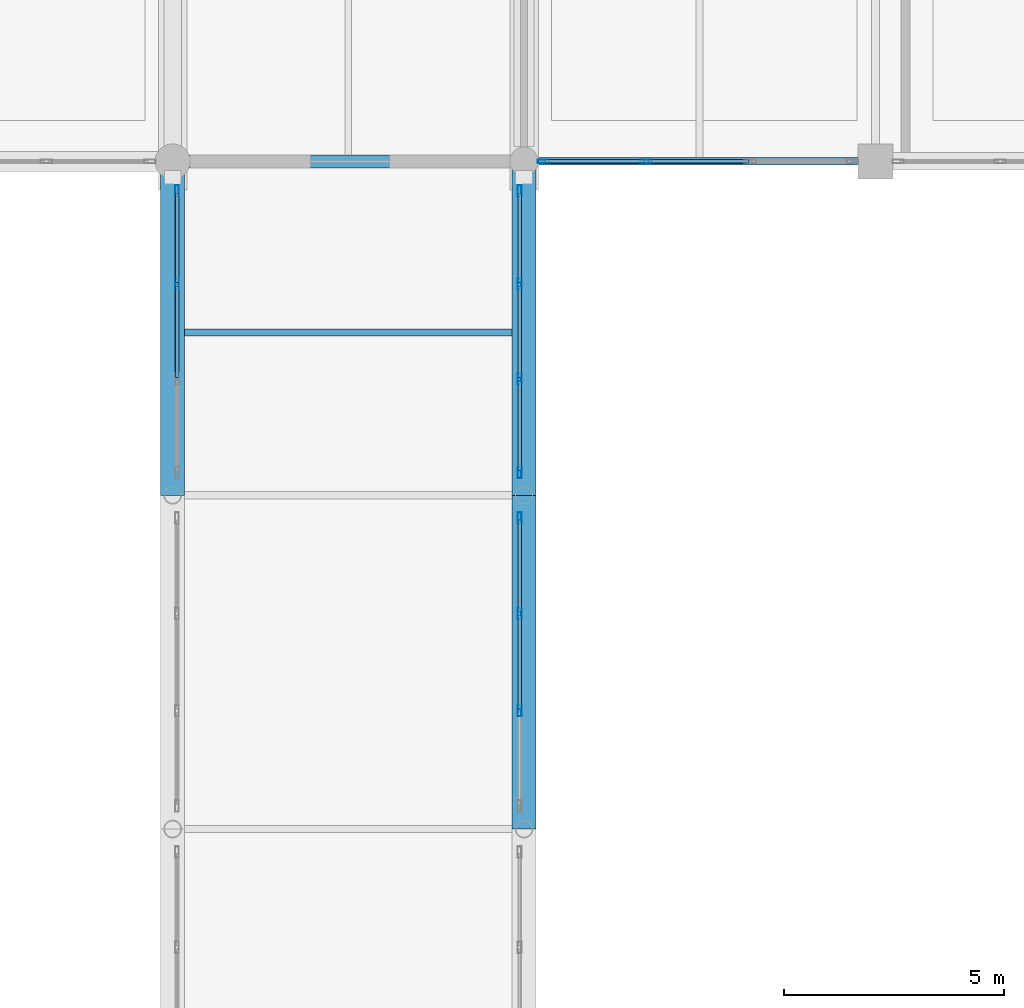
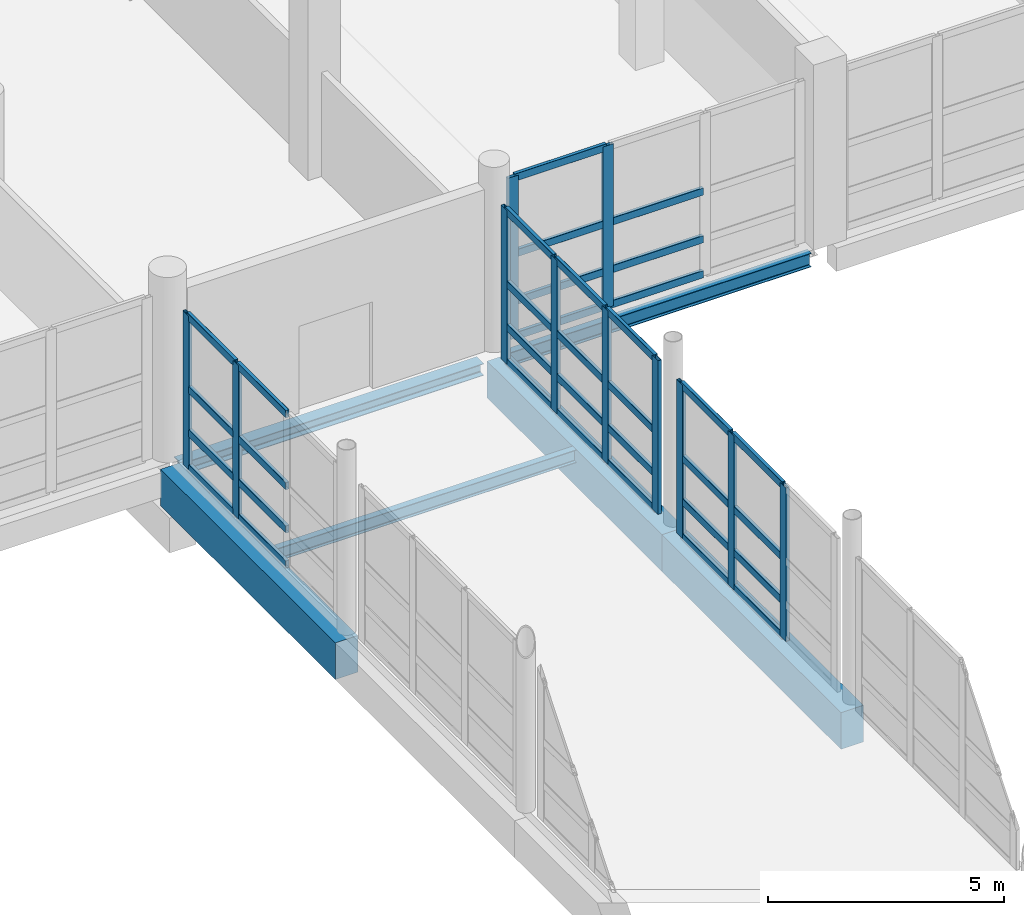
# One storey, part 59 of 147: 46 members, 6 beams, 4 elements without a shape of their own.
"""IFC4 building model written with IfcOpenShell, lengths in metres."""

from ifc_helpers import new_model, si_unit, direction, frame, origin, origin_2d, place, context, subcontext, project, spatial, rectangle, hollow_rectangle, i_section, extrude, material, material_profile, profile_set, type_object, element, aggregate, save


model = new_model("IFC4")

# Units and contexts
model_context = context("Model", 3, precision=1e-05, world=origin(), true_north=direction((0.0, 1.0)))
body_context = subcontext(model_context, "Body", "Model", "MODEL_VIEW")
ifc_project = project(units=[si_unit("LENGTHUNIT", "METRE"), si_unit("AREAUNIT", "SQUARE_METRE"), si_unit("VOLUMEUNIT", "CUBIC_METRE"), si_unit("PLANEANGLEUNIT", "RADIAN"), si_unit("MASSUNIT", "GRAM", prefix="KILO")], contexts=[model_context])

# Site, building, storey
site_placement = place(None, origin())
site = spatial("IfcSite", under=ifc_project, at=site_placement, CompositionType="ELEMENT")
building_placement = place(site_placement, origin())
building = spatial("IfcBuilding", under=site, at=building_placement, Name="Khelvaren Railside Concert Hall", CompositionType="ELEMENT")
storey_placement = place(building_placement, frame((0.0, 0.0, 5.39990234375)))
storey = spatial("IfcBuildingStorey", under=building, at=storey_placement, Name="L01", CompositionType="ELEMENT", Elevation=5.39990234375)

# Curtain wall, members
ifc_material_1 = material(Name="Acoustic laminated crystal facade glass", Category="glass")
curtain_wall_type_1 = type_object("IfcCurtainWallType", Name="CW15", PredefinedType="USERDEFINED", material=ifc_material_1)
curtain_wall_1_placement = place(storey_placement, origin())
curtain_wall_1 = element("IfcCurtainWall", 1, at=curtain_wall_1_placement, inside=storey, type_object=curtain_wall_type_1, Name="Unitised Curtain Wall CW-V5-L01-S-168", ObjectType="UNITISED CURTAIN WALL", PredefinedType="USERDEFINED")
ifc_material_2 = material(Name="Anodised architectural aluminium 6063-T6", Category="aluminium")
ifc_material_profile_1 = material_profile(ifc_material_2, hollow_rectangle(XDim=0.0849609375, YDim=0.260009765625, WallThickness=0.0048828125, InnerFilletRadius=0.0029296875, OuterFilletRadius=0.0048828125, at=origin_2d()), Name="CWM 85x260x5")
ifc_profile_set_1 = profile_set([ifc_material_profile_1], Name="Anodised architectural aluminium 6063-T6")
member_type_1 = type_object("IfcMemberType", Name="CWM40", PredefinedType="MULLION", material=ifc_profile_set_1)
member_1_placement = place(storey_placement, frame((170.77587890625, 83.60009765625, 0.0), z_axis=(0.0, 0.0, 1.0), x_axis=(0.0, -1.0, 0.0)))
member_1 = element("IfcMember", 2, at=member_1_placement, type_object=member_type_1, Name="CW15 mullion 3", PredefinedType="MULLION", context=body_context, shape_type="SweptSolid", body=[
    extrude(hollow_rectangle(XDim=0.0849609375, YDim=0.260009765625, WallThickness=0.0048828125, InnerFilletRadius=0.0029296875, OuterFilletRadius=0.0048828125, at=origin_2d()), origin(), (0.0, 0.0, 1.0), 4.2001953125),
])
member_2_placement = place(storey_placement, frame((168.445068359375, 83.60009765625, 0.0), z_axis=(0.0, 0.0, 1.0), x_axis=(0.0, -1.0, 0.0)))
member_2 = element("IfcMember", 3, at=member_2_placement, type_object=member_type_1, Name="CW15 mullion 4", PredefinedType="MULLION", context=body_context, shape_type="SweptSolid", body=[
    extrude(hollow_rectangle(XDim=0.0849609375, YDim=0.260009765625, WallThickness=0.0048828125, InnerFilletRadius=0.0029296875, OuterFilletRadius=0.0048828125, at=origin_2d()), origin(), (0.0, 0.0, 1.0), 4.2001953125),
])

curtain_wall_type_2 = type_object("IfcCurtainWallType", Name="CW78", PredefinedType="USERDEFINED", material=ifc_material_1)
curtain_wall_2_placement = place(storey_placement, origin())
curtain_wall_2 = element("IfcCurtainWall", 4, at=curtain_wall_2_placement, inside=storey, type_object=curtain_wall_type_2, Name="Unitised Curtain Wall CW-LB4-L01-E5", ObjectType="UNITISED CURTAIN WALL", PredefinedType="USERDEFINED")
member_3_placement = place(storey_placement, frame((167.89990234375, 75.4775390625, 0.0), z_axis=(0.0, 0.0, 1.0), x_axis=(1.0, 0.0, 0.0)))
member_3 = element("IfcMember", 5, at=member_3_placement, type_object=member_type_1, Name="CW78 mullion 1", PredefinedType="MULLION", context=body_context, shape_type="SweptSolid", body=[
    extrude(hollow_rectangle(XDim=0.0849609375, YDim=0.260009765625, WallThickness=0.0048828125, InnerFilletRadius=0.0029296875, OuterFilletRadius=0.0048828125, at=origin_2d()), origin(), (0.0, 0.0, 1.0), 3.97998046875),
])
member_4_placement = place(storey_placement, frame((167.89990234375, 73.306640625, 0.0), z_axis=(0.0, 0.0, 1.0), x_axis=(1.0, 0.0, 0.0)))
member_4 = element("IfcMember", 6, at=member_4_placement, type_object=member_type_1, Name="CW78 mullion 2", PredefinedType="MULLION", context=body_context, shape_type="SweptSolid", body=[
    extrude(hollow_rectangle(XDim=0.0849609375, YDim=0.260009765625, WallThickness=0.0048828125, InnerFilletRadius=0.0029296875, OuterFilletRadius=0.0048828125, at=origin_2d()), origin(), (0.0, 0.0, 1.0), 3.97998046875),
])
member_5_placement = place(storey_placement, frame((167.89990234375, 71.09326171875, 0.0), z_axis=(0.0, 0.0, 1.0), x_axis=(1.0, 0.0, 0.0)))
member_5 = element("IfcMember", 7, at=member_5_placement, type_object=member_type_1, Name="CW78 mullion 3", PredefinedType="MULLION", context=body_context, shape_type="SweptSolid", body=[
    extrude(hollow_rectangle(XDim=0.0849609375, YDim=0.260009765625, WallThickness=0.0048828125, InnerFilletRadius=0.0029296875, OuterFilletRadius=0.0048828125, at=origin_2d()), origin(), (0.0, 0.0, 1.0), 3.97998046875),
])

curtain_wall_3_placement = place(storey_placement, origin())
curtain_wall_3 = element("IfcCurtainWall", 8, at=curtain_wall_3_placement, inside=storey, type_object=curtain_wall_type_2, Name="Unitised Curtain Wall CW-LB4-L01-W6", ObjectType="UNITISED CURTAIN WALL", PredefinedType="USERDEFINED")
member_6_placement = place(storey_placement, frame((160.10009765625, 80.806640625, 0.0), z_axis=(0.0, 0.0, 1.0), x_axis=(-1.0, 0.0, 0.0)))
member_6 = element("IfcMember", 9, at=member_6_placement, type_object=member_type_1, Name="CW78 mullion 3", PredefinedType="MULLION", context=body_context, shape_type="SweptSolid", body=[
    extrude(hollow_rectangle(XDim=0.0849609375, YDim=0.260009765625, WallThickness=0.0048828125, InnerFilletRadius=0.0029296875, OuterFilletRadius=0.0048828125, at=origin_2d()), origin(), (0.0, 0.0, 1.0), 3.97998046875),
])
member_7_placement = place(storey_placement, frame((160.10009765625, 82.927490234375, 0.0), z_axis=(0.0, 0.0, 1.0), x_axis=(-1.0, 0.0, 0.0)))
member_7 = element("IfcMember", 10, at=member_7_placement, type_object=member_type_1, Name="CW78 mullion 4", PredefinedType="MULLION", context=body_context, shape_type="SweptSolid", body=[
    extrude(hollow_rectangle(XDim=0.0849609375, YDim=0.260009765625, WallThickness=0.0048828125, InnerFilletRadius=0.0029296875, OuterFilletRadius=0.0048828125, at=origin_2d()), origin(), (0.0, 0.0, 1.0), 3.97998046875),
])

curtain_wall_4_placement = place(storey_placement, origin())
curtain_wall_4 = element("IfcCurtainWall", 11, at=curtain_wall_4_placement, inside=storey, type_object=curtain_wall_type_2, Name="Unitised Curtain Wall CW-LB4-L01-E6", ObjectType="UNITISED CURTAIN WALL", PredefinedType="USERDEFINED")
member_8_placement = place(storey_placement, frame((167.89990234375, 82.927490234375, 0.0), z_axis=(0.0, 0.0, 1.0), x_axis=(1.0, 0.0, 0.0)))
member_8 = element("IfcMember", 12, at=member_8_placement, type_object=member_type_1, Name="CW78 mullion 1", PredefinedType="MULLION", context=body_context, shape_type="SweptSolid", body=[
    extrude(hollow_rectangle(XDim=0.0849609375, YDim=0.260009765625, WallThickness=0.0048828125, InnerFilletRadius=0.0029296875, OuterFilletRadius=0.0048828125, at=origin_2d()), origin(), (0.0, 0.0, 1.0), 3.97998046875),
])
member_9_placement = place(storey_placement, frame((167.89990234375, 80.806640625, 0.0), z_axis=(0.0, 0.0, 1.0), x_axis=(1.0, 0.0, 0.0)))
member_9 = element("IfcMember", 13, at=member_9_placement, type_object=member_type_1, Name="CW78 mullion 2", PredefinedType="MULLION", context=body_context, shape_type="SweptSolid", body=[
    extrude(hollow_rectangle(XDim=0.0849609375, YDim=0.260009765625, WallThickness=0.0048828125, InnerFilletRadius=0.0029296875, OuterFilletRadius=0.0048828125, at=origin_2d()), origin(), (0.0, 0.0, 1.0), 3.97998046875),
])
member_10_placement = place(storey_placement, frame((167.89990234375, 78.643310546875, 0.0), z_axis=(0.0, 0.0, 1.0), x_axis=(1.0, 0.0, 0.0)))
member_10 = element("IfcMember", 14, at=member_10_placement, type_object=member_type_1, Name="CW78 mullion 3", PredefinedType="MULLION", context=body_context, shape_type="SweptSolid", body=[
    extrude(hollow_rectangle(XDim=0.0849609375, YDim=0.260009765625, WallThickness=0.0048828125, InnerFilletRadius=0.0029296875, OuterFilletRadius=0.0048828125, at=origin_2d()), origin(), (0.0, 0.0, 1.0), 3.97998046875),
])
member_11_placement = place(storey_placement, frame((167.89990234375, 76.5224609375, 0.0), z_axis=(0.0, 0.0, 1.0), x_axis=(1.0, 0.0, 0.0)))
member_11 = element("IfcMember", 15, at=member_11_placement, type_object=member_type_1, Name="CW78 mullion 4", PredefinedType="MULLION", context=body_context, shape_type="SweptSolid", body=[
    extrude(hollow_rectangle(XDim=0.0849609375, YDim=0.260009765625, WallThickness=0.0048828125, InnerFilletRadius=0.0029296875, OuterFilletRadius=0.0048828125, at=origin_2d()), origin(), (0.0, 0.0, 1.0), 3.97998046875),
])

# Member
ifc_material_profile_2 = material_profile(ifc_material_2, hollow_rectangle(XDim=0.0849609375, YDim=0.18994140625, WallThickness=0.0048828125, InnerFilletRadius=0.0029296875, OuterFilletRadius=0.0048828125, at=origin_2d()), Name="CWT 85x190x5")
ifc_profile_set_2 = profile_set([ifc_material_profile_2], Name="Anodised architectural aluminium 6063-T6")
member_type_2 = type_object("IfcMemberType", Name="CWT31", PredefinedType="USERDEFINED", material=ifc_profile_set_2)
member_12_placement = place(storey_placement, frame((173.106689453125, 83.60009765625, 0.04248046875), z_axis=(-1.0, 0.0, 0.0), x_axis=(0.0, -1.0, 0.0)))
member_12 = element("IfcMember", 16, at=member_12_placement, type_object=member_type_2, Name="CW15 transom 2.1", ObjectType="TRANSOM", PredefinedType="USERDEFINED", context=body_context, shape_type="SweptSolid", body=[
    extrude(hollow_rectangle(XDim=0.0849609375, YDim=0.18994140625, WallThickness=0.0048828125, InnerFilletRadius=0.0029296875, OuterFilletRadius=0.0048828125, at=origin_2d()), origin(), (0.0, 0.0, 1.0), 2.288330078125),
])

member_13_placement = place(storey_placement, frame((173.106689453125, 83.60009765625, 0.9501953125), z_axis=(-1.0, 0.0, 0.0), x_axis=(0.0, -1.0, 0.0)))
member_13 = element("IfcMember", 17, at=member_13_placement, type_object=member_type_2, Name="CW15 transom 2.2", ObjectType="TRANSOM", PredefinedType="USERDEFINED", context=body_context, shape_type="SweptSolid", body=[
    extrude(hollow_rectangle(XDim=0.0849609375, YDim=0.18994140625, WallThickness=0.0048828125, InnerFilletRadius=0.0029296875, OuterFilletRadius=0.0048828125, at=origin_2d()), origin(), (0.0, 0.0, 1.0), 2.288330078125),
])

member_14_placement = place(storey_placement, frame((173.106689453125, 83.60009765625, 2.18408203125), z_axis=(-1.0, 0.0, 0.0), x_axis=(0.0, -1.0, 0.0)))
member_14 = element("IfcMember", 18, at=member_14_placement, type_object=member_type_2, Name="CW15 transom 2.3", ObjectType="TRANSOM", PredefinedType="USERDEFINED", context=body_context, shape_type="SweptSolid", body=[
    extrude(hollow_rectangle(XDim=0.0849609375, YDim=0.18994140625, WallThickness=0.0048828125, InnerFilletRadius=0.0029296875, OuterFilletRadius=0.0048828125, at=origin_2d()), origin(), (0.0, 0.0, 1.0), 2.288330078125),
])

member_15_placement = place(storey_placement, frame((170.7333984375, 83.60009765625, 0.04248046875), z_axis=(-1.0, 0.0, 0.0), x_axis=(0.0, -1.0, 0.0)))
member_15 = element("IfcMember", 19, at=member_15_placement, type_object=member_type_2, Name="CW15 transom 3.1", ObjectType="TRANSOM", PredefinedType="USERDEFINED", context=body_context, shape_type="SweptSolid", body=[
    extrude(hollow_rectangle(XDim=0.0849609375, YDim=0.18994140625, WallThickness=0.0048828125, InnerFilletRadius=0.0029296875, OuterFilletRadius=0.0048828125, at=origin_2d()), origin(), (0.0, 0.0, 1.0), 2.245849609375),
])

member_16_placement = place(storey_placement, frame((170.7333984375, 83.60009765625, 0.9501953125), z_axis=(-1.0, 0.0, 0.0), x_axis=(0.0, -1.0, 0.0)))
member_16 = element("IfcMember", 20, at=member_16_placement, type_object=member_type_2, Name="CW15 transom 3.2", ObjectType="TRANSOM", PredefinedType="USERDEFINED", context=body_context, shape_type="SweptSolid", body=[
    extrude(hollow_rectangle(XDim=0.0849609375, YDim=0.18994140625, WallThickness=0.0048828125, InnerFilletRadius=0.0029296875, OuterFilletRadius=0.0048828125, at=origin_2d()), origin(), (0.0, 0.0, 1.0), 2.245849609375),
])

member_17_placement = place(storey_placement, frame((170.7333984375, 83.60009765625, 2.18408203125), z_axis=(-1.0, 0.0, 0.0), x_axis=(0.0, -1.0, 0.0)))
member_17 = element("IfcMember", 21, at=member_17_placement, type_object=member_type_2, Name="CW15 transom 3.3", ObjectType="TRANSOM", PredefinedType="USERDEFINED", context=body_context, shape_type="SweptSolid", body=[
    extrude(hollow_rectangle(XDim=0.0849609375, YDim=0.18994140625, WallThickness=0.0048828125, InnerFilletRadius=0.0029296875, OuterFilletRadius=0.0048828125, at=origin_2d()), origin(), (0.0, 0.0, 1.0), 2.245849609375),
])

member_18_placement = place(storey_placement, frame((170.7333984375, 83.60009765625, 4.15771484375), z_axis=(-1.0, 0.0, 0.0), x_axis=(0.0, -1.0, 0.0)))
member_18 = element("IfcMember", 22, at=member_18_placement, type_object=member_type_2, Name="CW15 transom 3.4", ObjectType="TRANSOM", PredefinedType="USERDEFINED", context=body_context, shape_type="SweptSolid", body=[
    extrude(hollow_rectangle(XDim=0.0849609375, YDim=0.18994140625, WallThickness=0.0048828125, InnerFilletRadius=0.0029296875, OuterFilletRadius=0.0048828125, at=origin_2d()), origin(), (0.0, 0.0, 1.0), 2.245849609375),
])

aggregate(curtain_wall_1, [member_1, member_2, member_12, member_13, member_14, member_15, member_16, member_17, member_18])

member_19_placement = place(storey_placement, frame((167.89990234375, 75.43505859375, 0.04248046875), z_axis=(0.0, -1.0, 0.0), x_axis=(1.0, 0.0, 0.0)))
member_19 = element("IfcMember", 23, at=member_19_placement, type_object=member_type_2, Name="CW78 transom 1.1", ObjectType="TRANSOM", PredefinedType="USERDEFINED", context=body_context, shape_type="SweptSolid", body=[
    extrude(hollow_rectangle(XDim=0.0849609375, YDim=0.18994140625, WallThickness=0.0048828125, InnerFilletRadius=0.0029296875, OuterFilletRadius=0.0048828125, at=origin_2d()), origin(), (0.0, 0.0, 1.0), 2.0859375),
])

member_20_placement = place(storey_placement, frame((167.89990234375, 75.43505859375, 0.9501953125), z_axis=(0.0, -1.0, 0.0), x_axis=(1.0, 0.0, 0.0)))
member_20 = element("IfcMember", 24, at=member_20_placement, type_object=member_type_2, Name="CW78 transom 1.2", ObjectType="TRANSOM", PredefinedType="USERDEFINED", context=body_context, shape_type="SweptSolid", body=[
    extrude(hollow_rectangle(XDim=0.0849609375, YDim=0.18994140625, WallThickness=0.0048828125, InnerFilletRadius=0.0029296875, OuterFilletRadius=0.0048828125, at=origin_2d()), origin(), (0.0, 0.0, 1.0), 2.0859375),
])

member_21_placement = place(storey_placement, frame((167.89990234375, 75.43505859375, 2.069580078125), z_axis=(0.0, -1.0, 0.0), x_axis=(1.0, 0.0, 0.0)))
member_21 = element("IfcMember", 25, at=member_21_placement, type_object=member_type_2, Name="CW78 transom 1.3", ObjectType="TRANSOM", PredefinedType="USERDEFINED", context=body_context, shape_type="SweptSolid", body=[
    extrude(hollow_rectangle(XDim=0.0849609375, YDim=0.18994140625, WallThickness=0.0048828125, InnerFilletRadius=0.0029296875, OuterFilletRadius=0.0048828125, at=origin_2d()), origin(), (0.0, 0.0, 1.0), 2.0859375),
])

member_22_placement = place(storey_placement, frame((167.89990234375, 75.43505859375, 3.9375), z_axis=(0.0, -1.0, 0.0), x_axis=(1.0, 0.0, 0.0)))
member_22 = element("IfcMember", 26, at=member_22_placement, type_object=member_type_2, Name="CW78 transom 1.4", ObjectType="TRANSOM", PredefinedType="USERDEFINED", context=body_context, shape_type="SweptSolid", body=[
    extrude(hollow_rectangle(XDim=0.0849609375, YDim=0.18994140625, WallThickness=0.0048828125, InnerFilletRadius=0.0029296875, OuterFilletRadius=0.0048828125, at=origin_2d()), origin(), (0.0, 0.0, 1.0), 2.0859375),
])

member_23_placement = place(storey_placement, frame((167.89990234375, 73.26416015625, 0.04248046875), z_axis=(0.0, -1.0, 0.0), x_axis=(1.0, 0.0, 0.0)))
member_23 = element("IfcMember", 27, at=member_23_placement, type_object=member_type_2, Name="CW78 transom 2.1", ObjectType="TRANSOM", PredefinedType="USERDEFINED", context=body_context, shape_type="SweptSolid", body=[
    extrude(hollow_rectangle(XDim=0.0849609375, YDim=0.18994140625, WallThickness=0.0048828125, InnerFilletRadius=0.0029296875, OuterFilletRadius=0.0048828125, at=origin_2d()), origin(), (0.0, 0.0, 1.0), 2.12841796875),
])

member_24_placement = place(storey_placement, frame((167.89990234375, 73.26416015625, 0.9501953125), z_axis=(0.0, -1.0, 0.0), x_axis=(1.0, 0.0, 0.0)))
member_24 = element("IfcMember", 28, at=member_24_placement, type_object=member_type_2, Name="CW78 transom 2.2", ObjectType="TRANSOM", PredefinedType="USERDEFINED", context=body_context, shape_type="SweptSolid", body=[
    extrude(hollow_rectangle(XDim=0.0849609375, YDim=0.18994140625, WallThickness=0.0048828125, InnerFilletRadius=0.0029296875, OuterFilletRadius=0.0048828125, at=origin_2d()), origin(), (0.0, 0.0, 1.0), 2.12841796875),
])

member_25_placement = place(storey_placement, frame((167.89990234375, 73.26416015625, 2.069580078125), z_axis=(0.0, -1.0, 0.0), x_axis=(1.0, 0.0, 0.0)))
member_25 = element("IfcMember", 29, at=member_25_placement, type_object=member_type_2, Name="CW78 transom 2.3", ObjectType="TRANSOM", PredefinedType="USERDEFINED", context=body_context, shape_type="SweptSolid", body=[
    extrude(hollow_rectangle(XDim=0.0849609375, YDim=0.18994140625, WallThickness=0.0048828125, InnerFilletRadius=0.0029296875, OuterFilletRadius=0.0048828125, at=origin_2d()), origin(), (0.0, 0.0, 1.0), 2.12841796875),
])

member_26_placement = place(storey_placement, frame((167.89990234375, 73.26416015625, 3.9375), z_axis=(0.0, -1.0, 0.0), x_axis=(1.0, 0.0, 0.0)))
member_26 = element("IfcMember", 30, at=member_26_placement, type_object=member_type_2, Name="CW78 transom 2.4", ObjectType="TRANSOM", PredefinedType="USERDEFINED", context=body_context, shape_type="SweptSolid", body=[
    extrude(hollow_rectangle(XDim=0.0849609375, YDim=0.18994140625, WallThickness=0.0048828125, InnerFilletRadius=0.0029296875, OuterFilletRadius=0.0048828125, at=origin_2d()), origin(), (0.0, 0.0, 1.0), 2.12841796875),
])

aggregate(curtain_wall_2, [member_3, member_4, member_5, member_19, member_20, member_21, member_22, member_23, member_24, member_25, member_26])

member_27_placement = place(storey_placement, frame((160.10009765625, 78.685791015625, 0.04248046875), z_axis=(0.0, 1.0, 0.0), x_axis=(-1.0, 0.0, 0.0)))
member_27 = element("IfcMember", 31, at=member_27_placement, type_object=member_type_2, Name="CW78 transom 2.1", ObjectType="TRANSOM", PredefinedType="USERDEFINED", context=body_context, shape_type="SweptSolid", body=[
    extrude(hollow_rectangle(XDim=0.0849609375, YDim=0.18994140625, WallThickness=0.0048828125, InnerFilletRadius=0.0029296875, OuterFilletRadius=0.0048828125, at=origin_2d()), origin(), (0.0, 0.0, 1.0), 2.078369140625),
])

member_28_placement = place(storey_placement, frame((160.10009765625, 78.685791015625, 0.9501953125), z_axis=(0.0, 1.0, 0.0), x_axis=(-1.0, 0.0, 0.0)))
member_28 = element("IfcMember", 32, at=member_28_placement, type_object=member_type_2, Name="CW78 transom 2.2", ObjectType="TRANSOM", PredefinedType="USERDEFINED", context=body_context, shape_type="SweptSolid", body=[
    extrude(hollow_rectangle(XDim=0.0849609375, YDim=0.18994140625, WallThickness=0.0048828125, InnerFilletRadius=0.0029296875, OuterFilletRadius=0.0048828125, at=origin_2d()), origin(), (0.0, 0.0, 1.0), 2.078369140625),
])

member_29_placement = place(storey_placement, frame((160.10009765625, 78.685791015625, 2.069580078125), z_axis=(0.0, 1.0, 0.0), x_axis=(-1.0, 0.0, 0.0)))
member_29 = element("IfcMember", 33, at=member_29_placement, type_object=member_type_2, Name="CW78 transom 2.3", ObjectType="TRANSOM", PredefinedType="USERDEFINED", context=body_context, shape_type="SweptSolid", body=[
    extrude(hollow_rectangle(XDim=0.0849609375, YDim=0.18994140625, WallThickness=0.0048828125, InnerFilletRadius=0.0029296875, OuterFilletRadius=0.0048828125, at=origin_2d()), origin(), (0.0, 0.0, 1.0), 2.078369140625),
])

member_30_placement = place(storey_placement, frame((160.10009765625, 78.685791015625, 3.9375), z_axis=(0.0, 1.0, 0.0), x_axis=(-1.0, 0.0, 0.0)))
member_30 = element("IfcMember", 34, at=member_30_placement, type_object=member_type_2, Name="CW78 transom 2.4", ObjectType="TRANSOM", PredefinedType="USERDEFINED", context=body_context, shape_type="SweptSolid", body=[
    extrude(hollow_rectangle(XDim=0.0849609375, YDim=0.18994140625, WallThickness=0.0048828125, InnerFilletRadius=0.0029296875, OuterFilletRadius=0.0048828125, at=origin_2d()), origin(), (0.0, 0.0, 1.0), 2.078369140625),
])

member_31_placement = place(storey_placement, frame((160.10009765625, 80.84912109375, 0.04248046875), z_axis=(0.0, 1.0, 0.0), x_axis=(-1.0, 0.0, 0.0)))
member_31 = element("IfcMember", 35, at=member_31_placement, type_object=member_type_2, Name="CW78 transom 3.1", ObjectType="TRANSOM", PredefinedType="USERDEFINED", context=body_context, shape_type="SweptSolid", body=[
    extrude(hollow_rectangle(XDim=0.0849609375, YDim=0.18994140625, WallThickness=0.0048828125, InnerFilletRadius=0.0029296875, OuterFilletRadius=0.0048828125, at=origin_2d()), origin(), (0.0, 0.0, 1.0), 2.035888671875),
])

member_32_placement = place(storey_placement, frame((160.10009765625, 80.84912109375, 0.9501953125), z_axis=(0.0, 1.0, 0.0), x_axis=(-1.0, 0.0, 0.0)))
member_32 = element("IfcMember", 36, at=member_32_placement, type_object=member_type_2, Name="CW78 transom 3.2", ObjectType="TRANSOM", PredefinedType="USERDEFINED", context=body_context, shape_type="SweptSolid", body=[
    extrude(hollow_rectangle(XDim=0.0849609375, YDim=0.18994140625, WallThickness=0.0048828125, InnerFilletRadius=0.0029296875, OuterFilletRadius=0.0048828125, at=origin_2d()), origin(), (0.0, 0.0, 1.0), 2.035888671875),
])

member_33_placement = place(storey_placement, frame((160.10009765625, 80.84912109375, 2.069580078125), z_axis=(0.0, 1.0, 0.0), x_axis=(-1.0, 0.0, 0.0)))
member_33 = element("IfcMember", 37, at=member_33_placement, type_object=member_type_2, Name="CW78 transom 3.3", ObjectType="TRANSOM", PredefinedType="USERDEFINED", context=body_context, shape_type="SweptSolid", body=[
    extrude(hollow_rectangle(XDim=0.0849609375, YDim=0.18994140625, WallThickness=0.0048828125, InnerFilletRadius=0.0029296875, OuterFilletRadius=0.0048828125, at=origin_2d()), origin(), (0.0, 0.0, 1.0), 2.035888671875),
])

member_34_placement = place(storey_placement, frame((160.10009765625, 80.84912109375, 3.9375), z_axis=(0.0, 1.0, 0.0), x_axis=(-1.0, 0.0, 0.0)))
member_34 = element("IfcMember", 38, at=member_34_placement, type_object=member_type_2, Name="CW78 transom 3.4", ObjectType="TRANSOM", PredefinedType="USERDEFINED", context=body_context, shape_type="SweptSolid", body=[
    extrude(hollow_rectangle(XDim=0.0849609375, YDim=0.18994140625, WallThickness=0.0048828125, InnerFilletRadius=0.0029296875, OuterFilletRadius=0.0048828125, at=origin_2d()), origin(), (0.0, 0.0, 1.0), 2.035888671875),
])

aggregate(curtain_wall_3, [member_6, member_7, member_27, member_28, member_29, member_30, member_31, member_32, member_33, member_34])

member_35_placement = place(storey_placement, frame((167.89990234375, 82.885009765625, 0.04248046875), z_axis=(0.0, -1.0, 0.0), x_axis=(1.0, 0.0, 0.0)))
member_35 = element("IfcMember", 39, at=member_35_placement, type_object=member_type_2, Name="CW78 transom 1.1", ObjectType="TRANSOM", PredefinedType="USERDEFINED", context=body_context, shape_type="SweptSolid", body=[
    extrude(hollow_rectangle(XDim=0.0849609375, YDim=0.18994140625, WallThickness=0.0048828125, InnerFilletRadius=0.0029296875, OuterFilletRadius=0.0048828125, at=origin_2d()), origin(), (0.0, 0.0, 1.0), 2.035888671875),
])

member_36_placement = place(storey_placement, frame((167.89990234375, 82.885009765625, 0.9501953125), z_axis=(0.0, -1.0, 0.0), x_axis=(1.0, 0.0, 0.0)))
member_36 = element("IfcMember", 40, at=member_36_placement, type_object=member_type_2, Name="CW78 transom 1.2", ObjectType="TRANSOM", PredefinedType="USERDEFINED", context=body_context, shape_type="SweptSolid", body=[
    extrude(hollow_rectangle(XDim=0.0849609375, YDim=0.18994140625, WallThickness=0.0048828125, InnerFilletRadius=0.0029296875, OuterFilletRadius=0.0048828125, at=origin_2d()), origin(), (0.0, 0.0, 1.0), 2.035888671875),
])

member_37_placement = place(storey_placement, frame((167.89990234375, 82.885009765625, 2.069580078125), z_axis=(0.0, -1.0, 0.0), x_axis=(1.0, 0.0, 0.0)))
member_37 = element("IfcMember", 41, at=member_37_placement, type_object=member_type_2, Name="CW78 transom 1.3", ObjectType="TRANSOM", PredefinedType="USERDEFINED", context=body_context, shape_type="SweptSolid", body=[
    extrude(hollow_rectangle(XDim=0.0849609375, YDim=0.18994140625, WallThickness=0.0048828125, InnerFilletRadius=0.0029296875, OuterFilletRadius=0.0048828125, at=origin_2d()), origin(), (0.0, 0.0, 1.0), 2.035888671875),
])

member_38_placement = place(storey_placement, frame((167.89990234375, 82.885009765625, 3.9375), z_axis=(0.0, -1.0, 0.0), x_axis=(1.0, 0.0, 0.0)))
member_38 = element("IfcMember", 42, at=member_38_placement, type_object=member_type_2, Name="CW78 transom 1.4", ObjectType="TRANSOM", PredefinedType="USERDEFINED", context=body_context, shape_type="SweptSolid", body=[
    extrude(hollow_rectangle(XDim=0.0849609375, YDim=0.18994140625, WallThickness=0.0048828125, InnerFilletRadius=0.0029296875, OuterFilletRadius=0.0048828125, at=origin_2d()), origin(), (0.0, 0.0, 1.0), 2.035888671875),
])

member_39_placement = place(storey_placement, frame((167.89990234375, 80.76416015625, 0.04248046875), z_axis=(0.0, -1.0, 0.0), x_axis=(1.0, 0.0, 0.0)))
member_39 = element("IfcMember", 43, at=member_39_placement, type_object=member_type_2, Name="CW78 transom 2.1", ObjectType="TRANSOM", PredefinedType="USERDEFINED", context=body_context, shape_type="SweptSolid", body=[
    extrude(hollow_rectangle(XDim=0.0849609375, YDim=0.18994140625, WallThickness=0.0048828125, InnerFilletRadius=0.0029296875, OuterFilletRadius=0.0048828125, at=origin_2d()), origin(), (0.0, 0.0, 1.0), 2.078369140625),
])

member_40_placement = place(storey_placement, frame((167.89990234375, 80.76416015625, 0.9501953125), z_axis=(0.0, -1.0, 0.0), x_axis=(1.0, 0.0, 0.0)))
member_40 = element("IfcMember", 44, at=member_40_placement, type_object=member_type_2, Name="CW78 transom 2.2", ObjectType="TRANSOM", PredefinedType="USERDEFINED", context=body_context, shape_type="SweptSolid", body=[
    extrude(hollow_rectangle(XDim=0.0849609375, YDim=0.18994140625, WallThickness=0.0048828125, InnerFilletRadius=0.0029296875, OuterFilletRadius=0.0048828125, at=origin_2d()), origin(), (0.0, 0.0, 1.0), 2.078369140625),
])

member_41_placement = place(storey_placement, frame((167.89990234375, 80.76416015625, 2.069580078125), z_axis=(0.0, -1.0, 0.0), x_axis=(1.0, 0.0, 0.0)))
member_41 = element("IfcMember", 45, at=member_41_placement, type_object=member_type_2, Name="CW78 transom 2.3", ObjectType="TRANSOM", PredefinedType="USERDEFINED", context=body_context, shape_type="SweptSolid", body=[
    extrude(hollow_rectangle(XDim=0.0849609375, YDim=0.18994140625, WallThickness=0.0048828125, InnerFilletRadius=0.0029296875, OuterFilletRadius=0.0048828125, at=origin_2d()), origin(), (0.0, 0.0, 1.0), 2.078369140625),
])

member_42_placement = place(storey_placement, frame((167.89990234375, 80.76416015625, 3.9375), z_axis=(0.0, -1.0, 0.0), x_axis=(1.0, 0.0, 0.0)))
member_42 = element("IfcMember", 46, at=member_42_placement, type_object=member_type_2, Name="CW78 transom 2.4", ObjectType="TRANSOM", PredefinedType="USERDEFINED", context=body_context, shape_type="SweptSolid", body=[
    extrude(hollow_rectangle(XDim=0.0849609375, YDim=0.18994140625, WallThickness=0.0048828125, InnerFilletRadius=0.0029296875, OuterFilletRadius=0.0048828125, at=origin_2d()), origin(), (0.0, 0.0, 1.0), 2.078369140625),
])

member_43_placement = place(storey_placement, frame((167.89990234375, 78.600830078125, 0.04248046875), z_axis=(0.0, -1.0, 0.0), x_axis=(1.0, 0.0, 0.0)))
member_43 = element("IfcMember", 47, at=member_43_placement, type_object=member_type_2, Name="CW78 transom 3.1", ObjectType="TRANSOM", PredefinedType="USERDEFINED", context=body_context, shape_type="SweptSolid", body=[
    extrude(hollow_rectangle(XDim=0.0849609375, YDim=0.18994140625, WallThickness=0.0048828125, InnerFilletRadius=0.0029296875, OuterFilletRadius=0.0048828125, at=origin_2d()), origin(), (0.0, 0.0, 1.0), 2.035888671875),
])

member_44_placement = place(storey_placement, frame((167.89990234375, 78.600830078125, 0.9501953125), z_axis=(0.0, -1.0, 0.0), x_axis=(1.0, 0.0, 0.0)))
member_44 = element("IfcMember", 48, at=member_44_placement, type_object=member_type_2, Name="CW78 transom 3.2", ObjectType="TRANSOM", PredefinedType="USERDEFINED", context=body_context, shape_type="SweptSolid", body=[
    extrude(hollow_rectangle(XDim=0.0849609375, YDim=0.18994140625, WallThickness=0.0048828125, InnerFilletRadius=0.0029296875, OuterFilletRadius=0.0048828125, at=origin_2d()), origin(), (0.0, 0.0, 1.0), 2.035888671875),
])

member_45_placement = place(storey_placement, frame((167.89990234375, 78.600830078125, 2.069580078125), z_axis=(0.0, -1.0, 0.0), x_axis=(1.0, 0.0, 0.0)))
member_45 = element("IfcMember", 49, at=member_45_placement, type_object=member_type_2, Name="CW78 transom 3.3", ObjectType="TRANSOM", PredefinedType="USERDEFINED", context=body_context, shape_type="SweptSolid", body=[
    extrude(hollow_rectangle(XDim=0.0849609375, YDim=0.18994140625, WallThickness=0.0048828125, InnerFilletRadius=0.0029296875, OuterFilletRadius=0.0048828125, at=origin_2d()), origin(), (0.0, 0.0, 1.0), 2.035888671875),
])

member_46_placement = place(storey_placement, frame((167.89990234375, 78.600830078125, 3.9375), z_axis=(0.0, -1.0, 0.0), x_axis=(1.0, 0.0, 0.0)))
member_46 = element("IfcMember", 50, at=member_46_placement, type_object=member_type_2, Name="CW78 transom 3.4", ObjectType="TRANSOM", PredefinedType="USERDEFINED", context=body_context, shape_type="SweptSolid", body=[
    extrude(hollow_rectangle(XDim=0.0849609375, YDim=0.18994140625, WallThickness=0.0048828125, InnerFilletRadius=0.0029296875, OuterFilletRadius=0.0048828125, at=origin_2d()), origin(), (0.0, 0.0, 1.0), 2.035888671875),
])

aggregate(curtain_wall_4, [member_8, member_9, member_10, member_11, member_35, member_36, member_37, member_38, member_39, member_40, member_41, member_42, member_43, member_44, member_45, member_46])

# Beams
ifc_material_3 = material(Name="Concrete C40/50", Category="concrete")
ifc_material_profile_3 = material_profile(ifc_material_3, rectangle(XDim=0.550048828125, YDim=0.949951171875, at=origin_2d()), Name="RCB 550x950")
ifc_profile_set_3 = profile_set([ifc_material_profile_3], Name="Concrete C40/50")
beam_type_1 = type_object("IfcBeamType", Name="GR75", PredefinedType="T_BEAM", material=ifc_profile_set_3)
beam_1_placement = place(storey_placement, frame((160.0, 76.0, -0.71484375), z_axis=(0.0, 1.0, 0.0), x_axis=(-1.0, 0.0, 0.0)))
element("IfcBeam", 51, at=beam_1_placement, inside=storey, type_object=beam_type_1, Name="East Backstage Artist Link Bridge L01 Bridge Girder 1.6", PredefinedType="T_BEAM", context=body_context, shape_type="SweptSolid", body=[
    extrude(rectangle(XDim=0.550048828125, YDim=0.949951171875, at=origin_2d()), origin(), (0.0, 0.0, 1.0), 7.419921875),
])
beam_2_placement = place(storey_placement, frame((168.0, 68.39990234375, -0.71484375), z_axis=(0.0, 1.0, 0.0), x_axis=(-1.0, 0.0, 0.0)))
element("IfcBeam", 52, at=beam_2_placement, inside=storey, type_object=beam_type_1, Name="East Backstage Artist Link Bridge L01 Bridge Girder 2.5", PredefinedType="T_BEAM", context=body_context, shape_type="SweptSolid", body=[
    extrude(rectangle(XDim=0.550048828125, YDim=0.949951171875, at=origin_2d()), origin(), (0.0, 0.0, 1.0), 7.60009765625),
])
beam_3_placement = place(storey_placement, frame((168.0, 76.0, -0.71484375), z_axis=(0.0, 1.0, 0.0), x_axis=(-1.0, 0.0, 0.0)))
element("IfcBeam", 53, at=beam_3_placement, inside=storey, type_object=beam_type_1, Name="East Backstage Artist Link Bridge L01 Bridge Girder 2.6", PredefinedType="T_BEAM", context=body_context, shape_type="SweptSolid", body=[
    extrude(rectangle(XDim=0.550048828125, YDim=0.949951171875, at=origin_2d()), origin(), (0.0, 0.0, 1.0), 7.419921875),
])
ifc_material_4 = material(Name="Steel S355", Category="steel")
ifc_material_profile_4 = material_profile(ifc_material_4, i_section(OverallWidth=0.159912109375, OverallDepth=0.330078125, WebThickness=0.007568359375, FlangeThickness=0.011474609375, FilletRadius=0.01806640625, at=origin_2d()), Name="IPE 330")
ifc_profile_set_4 = profile_set([ifc_material_profile_4], Name="Steel S355")
beam_type_2 = type_object("IfcBeamType", Name="JS65", PredefinedType="JOIST", material=ifc_profile_set_4)
beam_4_placement = place(storey_placement, frame((160.27490234375, 79.7099609375, -0.40478515625), z_axis=(1.0, 0.0, 0.0), x_axis=(0.0, 1.0, 0.0)))
element("IfcBeam", 54, at=beam_4_placement, inside=storey, type_object=beam_type_2, Name="East Backstage Artist Link Bridge L01 Bridge Cross Joist 7", PredefinedType="JOIST", context=body_context, shape_type="SweptSolid", body=[
    extrude(i_section(OverallWidth=0.159912109375, OverallDepth=0.330078125, WebThickness=0.007568359375, FlangeThickness=0.011474609375, FilletRadius=0.01806640625, at=origin_2d()), origin(), (0.0, 0.0, 1.0), 7.4501953125),
])
ifc_material_profile_5 = material_profile(ifc_material_4, i_section(OverallWidth=0.300048828125, OverallDepth=0.31005859375, WebThickness=0.009033203125, FlangeThickness=0.015380859375, FilletRadius=0.027099609375, at=origin_2d()), Name="HEA 320")
ifc_profile_set_5 = profile_set([ifc_material_profile_5], Name="Steel S355")
beam_type_3 = type_object("IfcBeamType", Name="SP66", PredefinedType="SPANDREL", material=ifc_profile_set_5)
beam_5_placement = place(storey_placement, frame((160.25, 83.60009765625, -0.454833984375), z_axis=(1.0, 0.0, 0.0), x_axis=(0.0, 1.0, 0.0)))
element("IfcBeam", 55, at=beam_5_placement, inside=storey, type_object=beam_type_3, Name="V5 L01 Spandrel X1.5", PredefinedType="SPANDREL", context=body_context, shape_type="SweptSolid", body=[
    extrude(i_section(OverallWidth=0.300048828125, OverallDepth=0.31005859375, WebThickness=0.009033203125, FlangeThickness=0.015380859375, FilletRadius=0.027099609375, at=origin_2d()), origin(), (0.0, 0.0, 1.0), 7.4140625),
])
ifc_material_profile_6 = material_profile(ifc_material_4, i_section(OverallWidth=0.169921875, OverallDepth=0.360107421875, WebThickness=0.008056640625, FlangeThickness=0.0126953125, FilletRadius=0.01806640625, at=origin_2d()), Name="IPE 360")
ifc_profile_set_6 = profile_set([ifc_material_profile_6], Name="Steel S355")
beam_type_4 = type_object("IfcBeamType", Name="SP74", PredefinedType="SPANDREL", material=ifc_profile_set_6)
beam_6_placement = place(storey_placement, frame((168.3359375, 83.60009765625, -0.47998046875), z_axis=(1.0, 0.0, 0.0), x_axis=(0.0, 1.0, 0.0)))
element("IfcBeam", 56, at=beam_6_placement, inside=storey, type_object=beam_type_4, Name="V5 L01 Spandrel X1.6", PredefinedType="SPANDREL", context=body_context, shape_type="SweptSolid", body=[
    extrude(i_section(OverallWidth=0.169921875, OverallDepth=0.360107421875, WebThickness=0.008056640625, FlangeThickness=0.0126953125, FilletRadius=0.01806640625, at=origin_2d()), origin(), (0.0, 0.0, 1.0), 7.39111328125),
])

save(model, "model.ifc")
